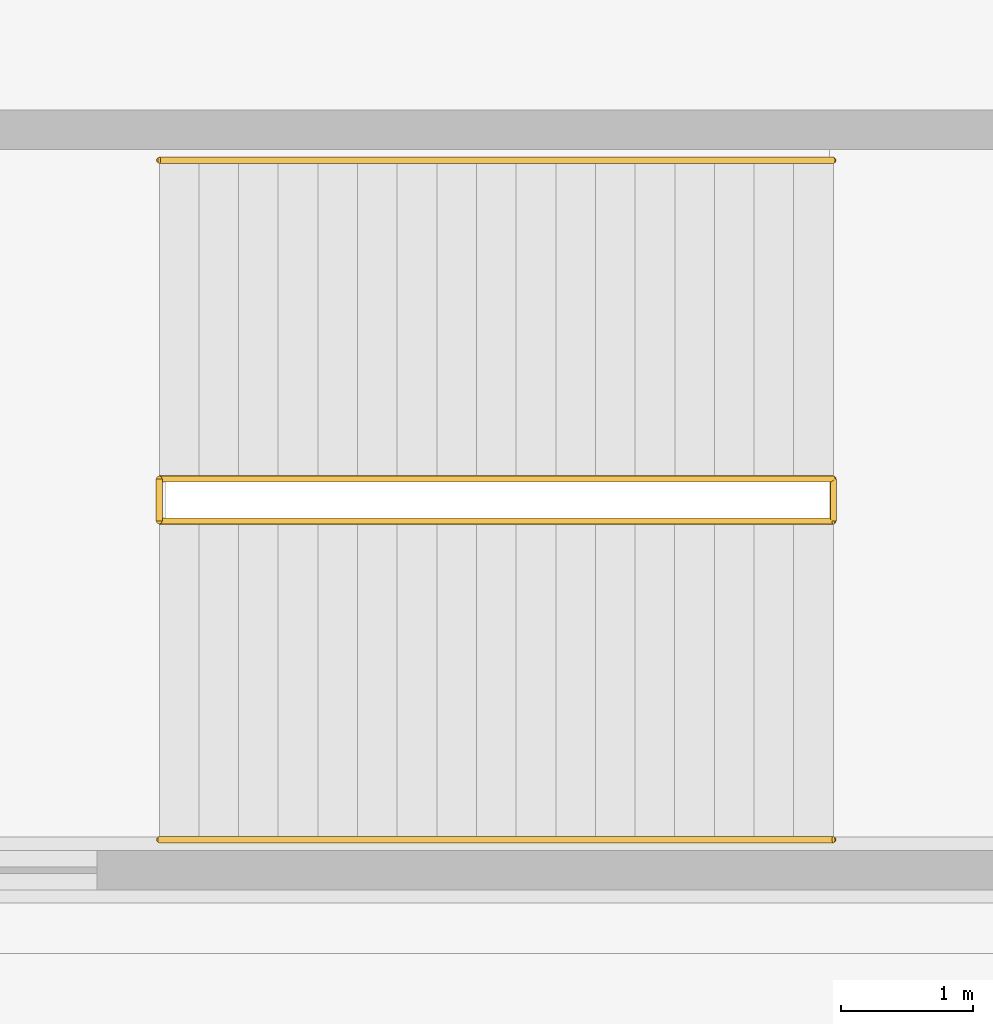
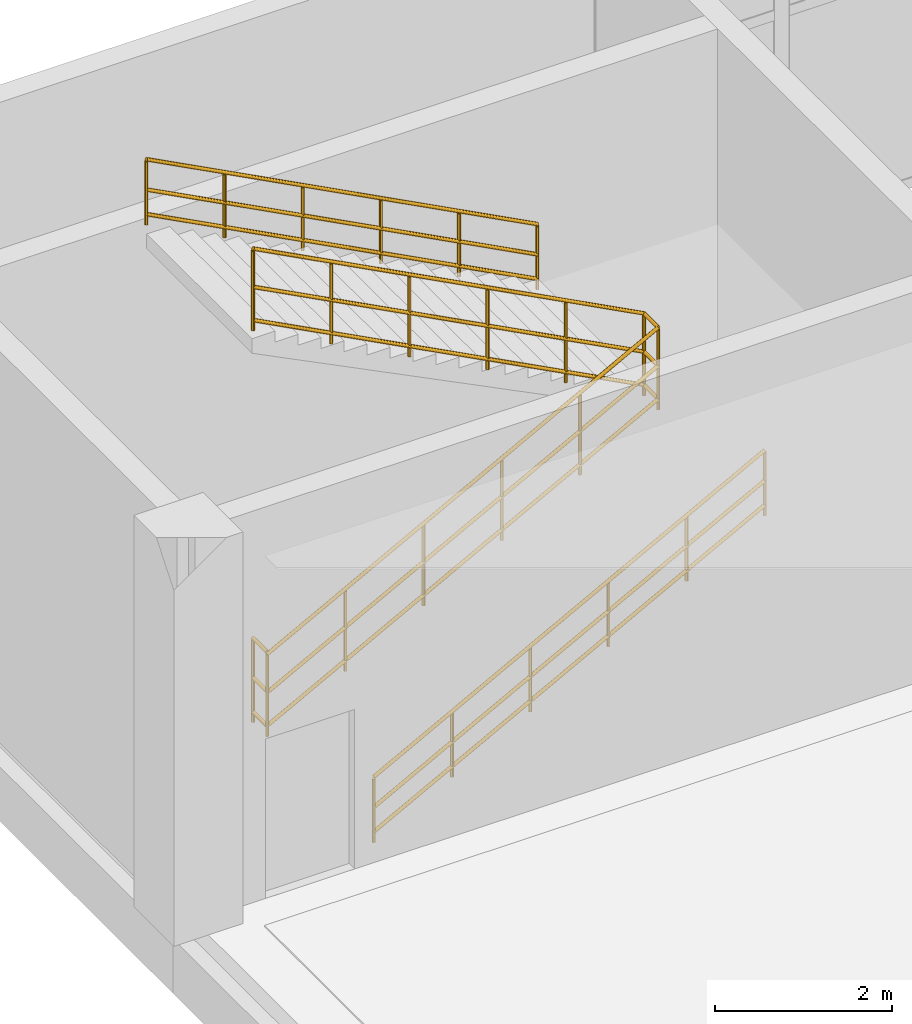
# One storey, part 175 of 175: 4 railings.
"""IFC4 building model written with IfcOpenShell, lengths in metres."""

from ifc_helpers import new_model, si_unit, direction, frame, origin, origin_2d, place, context, subcontext, project, spatial, circle, extrude, material, type_object, element, save


model = new_model("IFC4")

# Units and contexts
model_context = context("Model", 3, precision=1e-05, world=origin(), true_north=direction((0.0, 1.0)))
body_context = subcontext(model_context, "Body", "Model", "MODEL_VIEW")
ifc_project = project(units=[si_unit("LENGTHUNIT", "METRE"), si_unit("AREAUNIT", "SQUARE_METRE"), si_unit("VOLUMEUNIT", "CUBIC_METRE"), si_unit("PLANEANGLEUNIT", "RADIAN"), si_unit("MASSUNIT", "GRAM", prefix="KILO")], contexts=[model_context])

# Site, building, storey
site_placement = place(None, origin())
site = spatial("IfcSite", under=ifc_project, at=site_placement, CompositionType="ELEMENT")
building_placement = place(site_placement, origin())
building = spatial("IfcBuilding", under=site, at=building_placement, Name="Brelvane Convention Centre", CompositionType="ELEMENT")
storey_placement = place(building_placement, frame((0.0, 0.0, 5.39990234375)))
storey = spatial("IfcBuildingStorey", under=building, at=storey_placement, Name="L01", CompositionType="ELEMENT", Elevation=5.39990234375)

# Railings
ifc_material_1 = material(Name="Steel E350 (350 MPa)", Category="steel")
railing_type_1 = type_object("IfcRailingType", Name="Stair Railing GR-ST-1", PredefinedType="GUARDRAIL", material=ifc_material_1)
railing_1_placement = place(storey_placement, frame((165.75, 138.239990234375, -0.02001953125)))
element("IfcRailing", 1, at=railing_1_placement, inside=storey, type_object=railing_type_1, Name="Stair ST-11 L01 Inner Well Guard", PredefinedType="GUARDRAIL", context=body_context, shape_type="SweptSolid", body=[
    extrude(circle(Radius=0.02392578125, at=origin_2d()), frame((0.0, 0.0, 1.1259765625), z_axis=(0.882341248864, 0.0, 0.470610157724), x_axis=(0.0, 1.0, 0.0)), (0.0, 0.0, 1.0), 5.7802734375),
    extrude(circle(Radius=0.02392578125, at=origin_2d()), frame((0.0, 0.0, 0.597900390625), z_axis=(0.882341248864, 0.0, 0.470610157724), x_axis=(0.0, 1.0, 0.0)), (0.0, 0.0, 1.0), 5.7802734375),
    extrude(circle(Radius=0.02392578125, at=origin_2d()), frame((0.0, 0.0, 0.139892578125), z_axis=(0.882341248864, 0.0, 0.470610157724), x_axis=(0.0, 1.0, 0.0)), (0.0, 0.0, 1.0), 5.7802734375),
    extrude(circle(Radius=0.02392578125, at=origin_2d()), frame((5.10009765625, 0.0, 3.84619140625), z_axis=(0.0, 1.0, 0.0), x_axis=(-1.0, 0.0, 0.0)), (0.0, 0.0, 1.0), 0.320068359375),
    extrude(circle(Radius=0.02392578125, at=origin_2d()), frame((5.10009765625, 0.0, 3.318115234375), z_axis=(0.0, 1.0, 0.0), x_axis=(-1.0, 0.0, 0.0)), (0.0, 0.0, 1.0), 0.320068359375),
    extrude(circle(Radius=0.02392578125, at=origin_2d()), frame((5.10009765625, 0.0, 2.860107421875), z_axis=(0.0, 1.0, 0.0), x_axis=(-1.0, 0.0, 0.0)), (0.0, 0.0, 1.0), 0.320068359375),
    extrude(circle(Radius=0.02392578125, at=origin_2d()), frame((5.10009765625, 0.320068359375, 3.84619140625), z_axis=(-0.885227801088, 0.0, 0.465157758379), x_axis=(0.0, -1.0, 0.0)), (0.0, 0.0, 1.0), 5.76123046875),
    extrude(circle(Radius=0.02392578125, at=origin_2d()), frame((5.10009765625, 0.320068359375, 3.318115234375), z_axis=(-0.885227801088, 0.0, 0.465157758379), x_axis=(0.0, -1.0, 0.0)), (0.0, 0.0, 1.0), 5.76123046875),
    extrude(circle(Radius=0.02392578125, at=origin_2d()), frame((5.10009765625, 0.320068359375, 2.860107421875), z_axis=(-0.885227801088, 0.0, 0.465157758379), x_axis=(0.0, -1.0, 0.0)), (0.0, 0.0, 1.0), 5.76123046875),
    extrude(circle(Radius=0.02099609375, at=origin_2d()), origin(), (0.0, 0.0, 1.0), 1.101806640625),
    extrude(circle(Radius=0.02099609375, at=origin_2d()), frame((1.02001953125, 0.0, 0.5439453125)), (0.0, 0.0, 1.0), 1.101806640625),
    extrude(circle(Radius=0.02099609375, at=origin_2d()), frame((2.0400390625, 0.0, 1.088134765625)), (0.0, 0.0, 1.0), 1.101806640625),
    extrude(circle(Radius=0.02099609375, at=origin_2d()), frame((3.06005859375, 0.0, 1.632080078125)), (0.0, 0.0, 1.0), 1.101806640625),
    extrude(circle(Radius=0.02099609375, at=origin_2d()), frame((4.080078125, 0.0, 2.17626953125)), (0.0, 0.0, 1.0), 1.101806640625),
    extrude(circle(Radius=0.02099609375, at=origin_2d()), frame((5.10009765625, 0.0, 2.72021484375)), (0.0, 0.0, 1.0), 1.101806640625),
    extrude(circle(Radius=0.02099609375, at=origin_2d()), frame((5.10009765625, 0.320068359375, 2.72021484375)), (0.0, 0.0, 1.0), 1.101806640625),
    extrude(circle(Radius=0.02099609375, at=origin_2d()), frame((4.080078125, 0.320068359375, 3.256103515625)), (0.0, 0.0, 1.0), 1.101806640625),
    extrude(circle(Radius=0.02099609375, at=origin_2d()), frame((3.06005859375, 0.320068359375, 3.792236328125)), (0.0, 0.0, 1.0), 1.101806640625),
    extrude(circle(Radius=0.02099609375, at=origin_2d()), frame((2.0400390625, 0.320068359375, 4.328125)), (0.0, 0.0, 1.0), 1.101806640625),
    extrude(circle(Radius=0.02099609375, at=origin_2d()), frame((1.02001953125, 0.320068359375, 4.8642578125)), (0.0, 0.0, 1.0), 1.101806640625),
    extrude(circle(Radius=0.02099609375, at=origin_2d()), frame((0.0, 0.320068359375, 5.400146484375)), (0.0, 0.0, 1.0), 1.101806640625),
])
ifc_material_2 = material(Name="Steel E350 (350 MPa)", Category="steel")
railing_type_2 = type_object("IfcRailingType", Name="Stair Railing GR-ST-2", PredefinedType="GUARDRAIL", material=ifc_material_2)
railing_2_placement = place(storey_placement, frame((165.75, 138.239990234375, -0.02001953125)))
element("IfcRailing", 2, at=railing_2_placement, inside=storey, type_object=railing_type_2, Name="Stair ST-11 L01 Landing Well Guard", PredefinedType="GUARDRAIL", context=body_context, shape_type="SweptSolid", body=[
    extrude(circle(Radius=0.02392578125, at=origin_2d()), frame((0.0, 0.0, 1.15576171875), z_axis=(0.0, 1.0, 0.0), x_axis=(-1.0, 0.0, 0.0)), (0.0, 0.0, 1.0), 0.320068359375),
    extrude(circle(Radius=0.02392578125, at=origin_2d()), frame((0.0, 0.0, 0.613525390625), z_axis=(0.0, 1.0, 0.0), x_axis=(-1.0, 0.0, 0.0)), (0.0, 0.0, 1.0), 0.320068359375),
    extrude(circle(Radius=0.02392578125, at=origin_2d()), frame((0.0, 0.0, 0.139892578125), z_axis=(0.0, 1.0, 0.0), x_axis=(-1.0, 0.0, 0.0)), (0.0, 0.0, 1.0), 0.320068359375),
    extrude(circle(Radius=0.02099609375, at=origin_2d()), origin(), (0.0, 0.0, 1.0), 1.1318359375),
    extrude(circle(Radius=0.02099609375, at=origin_2d()), frame((0.0, 0.320068359375, 0.0)), (0.0, 0.0, 1.0), 1.1318359375),
])
ifc_material_3 = material(Name="Steel E350 (350 MPa)", Category="steel")
railing_type_3 = type_object("IfcRailingType", Name="Stair Railing HR-ST-1", PredefinedType="HANDRAIL", material=ifc_material_3)
railing_3_placement = place(storey_placement, frame((165.75, 135.830078125, -0.02001953125)))
element("IfcRailing", 3, at=railing_3_placement, inside=storey, type_object=railing_type_3, Name="Stair ST-11 L01 Outer Handrail F1", PredefinedType="HANDRAIL", context=body_context, shape_type="SweptSolid", body=[
    extrude(circle(Radius=0.02392578125, at=origin_2d()), frame((0.0, 0.0, 0.89599609375), z_axis=(0.882341248864, 0.0, 0.470610157724), x_axis=(0.0, 1.0, 0.0)), (0.0, 0.0, 1.0), 5.7802734375),
    extrude(circle(Radius=0.02392578125, at=origin_2d()), frame((0.0, 0.0, 0.478271484375), z_axis=(0.882341248864, 0.0, 0.470610157724), x_axis=(0.0, 1.0, 0.0)), (0.0, 0.0, 1.0), 5.7802734375),
    extrude(circle(Radius=0.02392578125, at=origin_2d()), frame((0.0, 0.0, 0.139892578125), z_axis=(0.882341248864, 0.0, 0.470610157724), x_axis=(0.0, 1.0, 0.0)), (0.0, 0.0, 1.0), 5.7802734375),
    extrude(circle(Radius=0.02099609375, at=origin_2d()), origin(), (0.0, 0.0, 1.0), 0.871826171875),
    extrude(circle(Radius=0.02099609375, at=origin_2d()), frame((1.02001953125, 0.0, 0.5439453125)), (0.0, 0.0, 1.0), 0.871826171875),
    extrude(circle(Radius=0.02099609375, at=origin_2d()), frame((2.0400390625, 0.0, 1.088134765625)), (0.0, 0.0, 1.0), 0.871826171875),
    extrude(circle(Radius=0.02099609375, at=origin_2d()), frame((3.06005859375, 0.0, 1.632080078125)), (0.0, 0.0, 1.0), 0.871826171875),
    extrude(circle(Radius=0.02099609375, at=origin_2d()), frame((4.080078125, 0.0, 2.17626953125)), (0.0, 0.0, 1.0), 0.871826171875),
    extrude(circle(Radius=0.02099609375, at=origin_2d()), frame((5.10009765625, 0.0, 2.72021484375)), (0.0, 0.0, 1.0), 0.871826171875),
])
railing_4_placement = place(storey_placement, frame((170.85009765625, 140.969970703125, 2.7001953125)))
element("IfcRailing", 4, at=railing_4_placement, inside=storey, type_object=railing_type_3, Name="Stair ST-11 L01 Outer Handrail F2", PredefinedType="HANDRAIL", context=body_context, shape_type="SweptSolid", body=[
    extrude(circle(Radius=0.02392578125, at=origin_2d()), frame((0.0, 0.0, 0.89599609375), z_axis=(-0.885227801088, 0.0, 0.465157758379), x_axis=(0.0, -1.0, 0.0)), (0.0, 0.0, 1.0), 5.76123046875),
    extrude(circle(Radius=0.02392578125, at=origin_2d()), frame((0.0, 0.0, 0.478271484375), z_axis=(-0.885227801088, 0.0, 0.465157758379), x_axis=(0.0, -1.0, 0.0)), (0.0, 0.0, 1.0), 5.76123046875),
    extrude(circle(Radius=0.02392578125, at=origin_2d()), frame((0.0, 0.0, 0.139892578125), z_axis=(-0.885227801088, 0.0, 0.465157758379), x_axis=(0.0, -1.0, 0.0)), (0.0, 0.0, 1.0), 5.76123046875),
    extrude(circle(Radius=0.02099609375, at=origin_2d()), origin(), (0.0, 0.0, 1.0), 0.871826171875),
    extrude(circle(Radius=0.02099609375, at=origin_2d()), frame((-1.02001953125, 0.0, 0.535888671875)), (0.0, 0.0, 1.0), 0.871826171875),
    extrude(circle(Radius=0.02099609375, at=origin_2d()), frame((-2.0400390625, 0.0, 1.072021484375)), (0.0, 0.0, 1.0), 0.871826171875),
    extrude(circle(Radius=0.02099609375, at=origin_2d()), frame((-3.06005859375, 0.0, 1.60791015625)), (0.0, 0.0, 1.0), 0.871826171875),
    extrude(circle(Radius=0.02099609375, at=origin_2d()), frame((-4.080078125, 0.0, 2.14404296875)), (0.0, 0.0, 1.0), 0.871826171875),
    extrude(circle(Radius=0.02099609375, at=origin_2d()), frame((-5.10009765625, 0.0, 2.679931640625)), (0.0, 0.0, 1.0), 0.871826171875),
])

save(model, "model.ifc")
